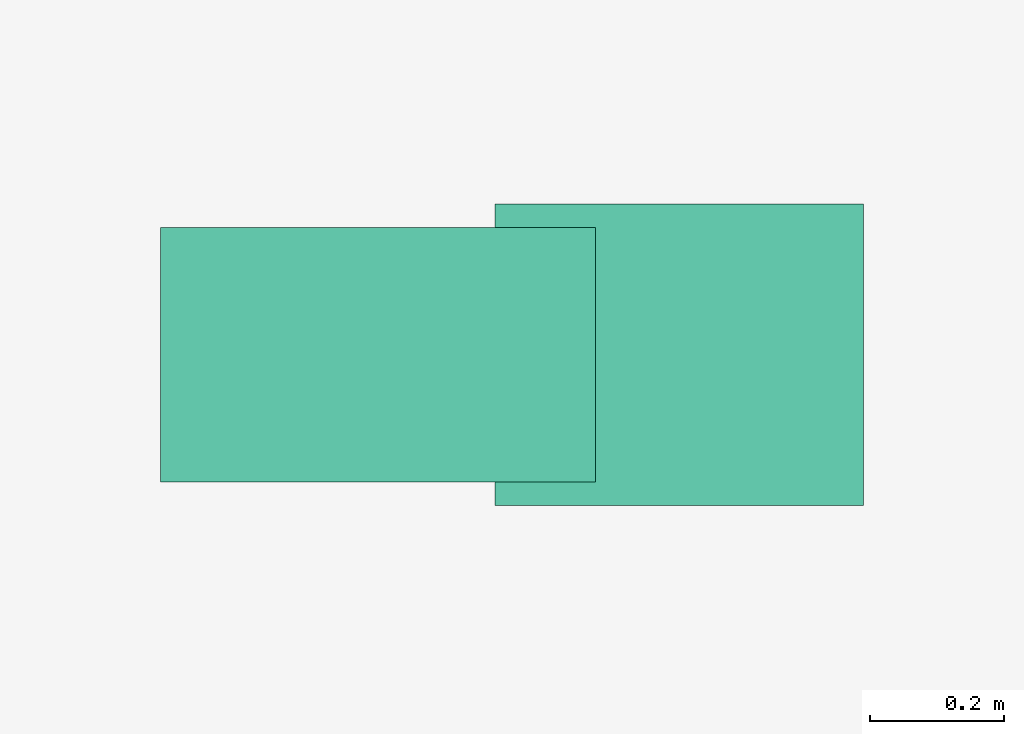
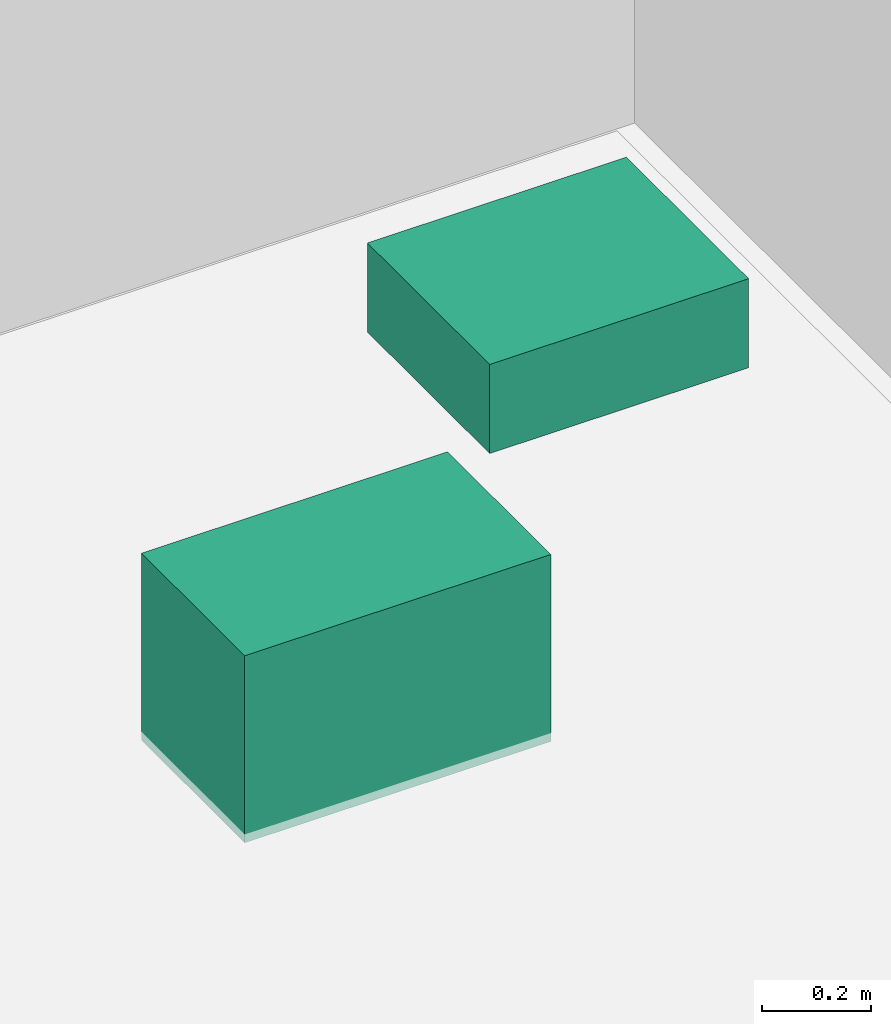
# One storey, part 14 of 14: 2 sanitary terminals.
"""IFC4 building model written with IfcOpenShell, lengths in metres."""

from ifc_helpers import new_model, si_unit, direction, frame, origin, origin_2d, place, context, subcontext, project, spatial, rectangle, extrude, material, type_object, element, save


model = new_model("IFC4")

# Units and contexts
model_context = context("Model", 3, precision=1e-05, world=origin(), true_north=direction((0.0, 1.0)))
body_context = subcontext(model_context, "Body", "Model", "MODEL_VIEW")
ifc_project = project(units=[si_unit("LENGTHUNIT", "METRE"), si_unit("AREAUNIT", "SQUARE_METRE"), si_unit("VOLUMEUNIT", "CUBIC_METRE"), si_unit("PLANEANGLEUNIT", "RADIAN"), si_unit("MASSUNIT", "GRAM", prefix="KILO")], contexts=[model_context])

# Site, building, storey
site_placement = place(None, origin())
site = spatial("IfcSite", under=ifc_project, at=site_placement, CompositionType="ELEMENT")
building_placement = place(site_placement, origin())
building = spatial("IfcBuilding", under=site, at=building_placement, Name="Savorim Split Tower", CompositionType="ELEMENT")
storey_placement = place(building_placement, frame((0.0, 0.0, 241.5)))
storey = spatial("IfcBuildingStorey", under=building, at=storey_placement, Name="L64", CompositionType="ELEMENT", Elevation=241.5)

# Sanitary terminals
ifc_material = material(Name="Vitreous China Sanitaryware")
sanitary_terminal_type_1 = type_object("IfcSanitaryTerminalType", Name="SAN-WC-PAN", PredefinedType="TOILETPAN", material=ifc_material)
sanitary_terminal_1_placement = place(storey_placement, frame((-2.77490234375, -7.60009765625, 0.0), z_axis=(0.0, 0.0, 1.0), x_axis=(1.0, 0.0, 0.0)))
element("IfcSanitaryTerminal", 1, at=sanitary_terminal_1_placement, inside=storey, type_object=sanitary_terminal_type_1, Name="L64 Accessible WC WC Pan", PredefinedType="TOILETPAN", context=body_context, shape_type="SweptSolid", body=[
    extrude(rectangle(XDim=0.64990234375, YDim=0.3798828125, at=origin_2d()), origin(), (0.0, 0.0, 1.0), 0.419921875),
])
sanitary_terminal_type_2 = type_object("IfcSanitaryTerminalType", Name="SAN-WHB-550", PredefinedType="WASHHANDBASIN", material=ifc_material)
sanitary_terminal_2_placement = place(storey_placement, frame((-2.324951171875, -7.60009765625, 0.72021484375), z_axis=(0.0, 0.0, 1.0), x_axis=(1.0, 0.0, 0.0)))
element("IfcSanitaryTerminal", 2, at=sanitary_terminal_2_placement, inside=storey, type_object=sanitary_terminal_type_2, Name="L64 Accessible WC Washhand Basin", PredefinedType="WASHHANDBASIN", context=body_context, shape_type="SweptSolid", body=[
    extrude(rectangle(XDim=0.550048828125, YDim=0.449951171875, at=origin_2d()), origin(), (0.0, 0.0, 1.0), 0.199951171875),
])

save(model, "model.ifc")
